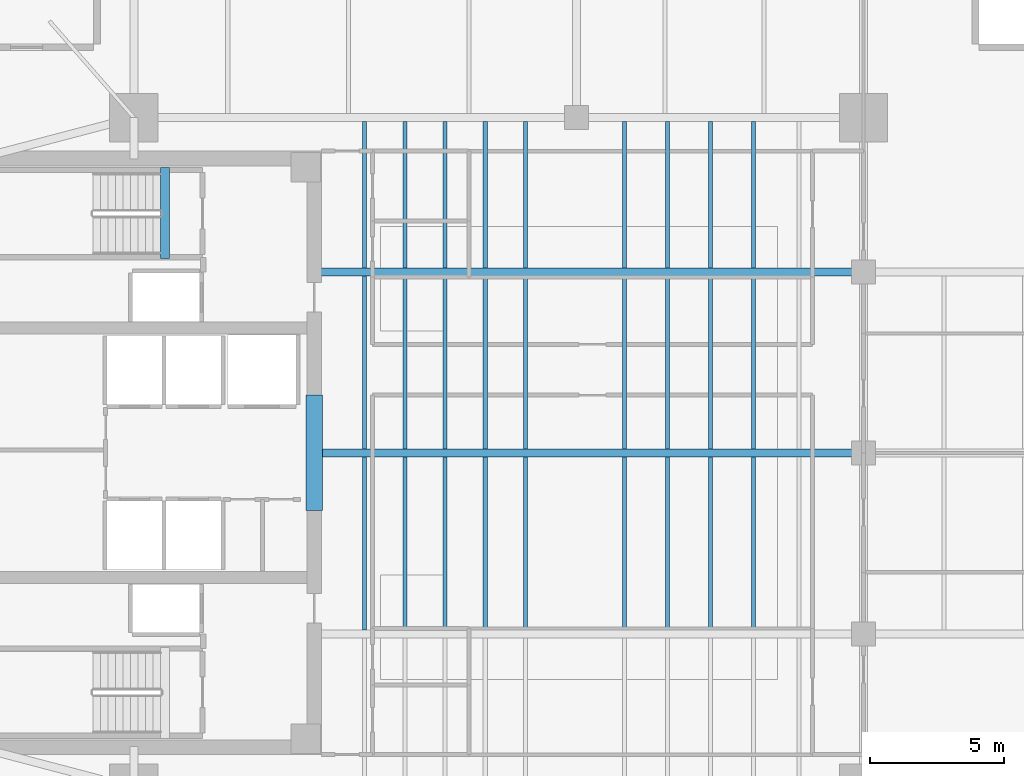
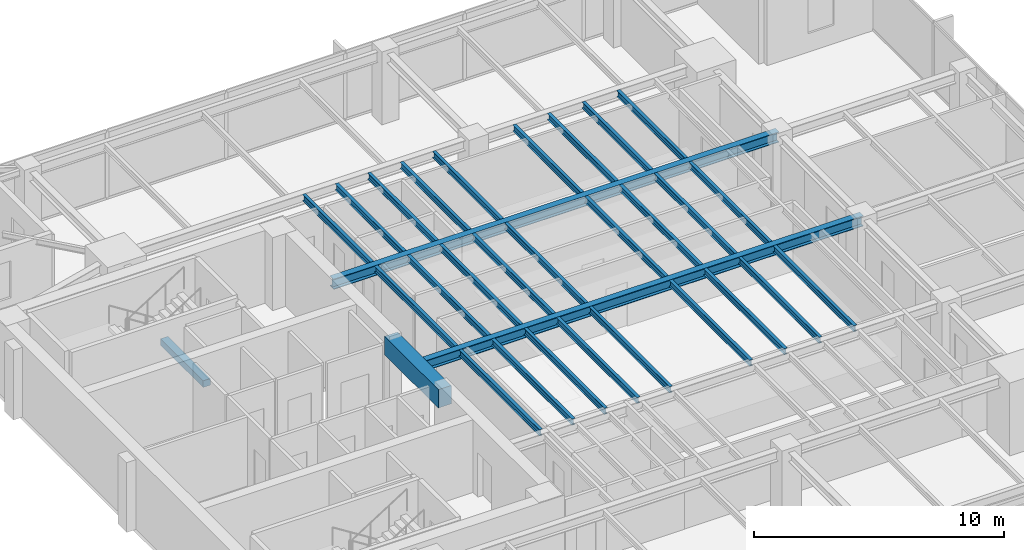
# One storey, part 3 of 14: 31 beams.
"""IFC4 building model written with IfcOpenShell, lengths in metres."""

from ifc_helpers import new_model, si_unit, direction, frame, origin, origin_2d, place, context, subcontext, project, spatial, rectangle, i_section, extrude, material, material_profile, profile_set, type_object, element, save


model = new_model("IFC4")

# Units and contexts
model_context = context("Model", 3, precision=1e-05, world=origin(), true_north=direction((0.0, 1.0)))
body_context = subcontext(model_context, "Body", "Model", "MODEL_VIEW")
ifc_project = project(units=[si_unit("LENGTHUNIT", "METRE"), si_unit("AREAUNIT", "SQUARE_METRE"), si_unit("VOLUMEUNIT", "CUBIC_METRE"), si_unit("PLANEANGLEUNIT", "RADIAN"), si_unit("MASSUNIT", "GRAM", prefix="KILO")], contexts=[model_context])

# Site, building, storey
site_placement = place(None, origin())
site = spatial("IfcSite", under=ifc_project, at=site_placement, CompositionType="ELEMENT")
building_placement = place(site_placement, origin())
building = spatial("IfcBuilding", under=site, at=building_placement, Name="Kinhvarn Gate Tower", CompositionType="ELEMENT")
storey_placement = place(building_placement, frame((0.0, 0.0, 205.800048828125)))
storey = spatial("IfcBuildingStorey", under=building, at=storey_placement, Name="L54", CompositionType="ELEMENT", Elevation=205.800048828125)

# Beams
ifc_material_1 = material(Name="Concrete C60/75", Category="concrete")
ifc_material_profile_1 = material_profile(ifc_material_1, rectangle(XDim=0.60009765625, YDim=0.89990234375, at=origin_2d()), Name="RC 600x900")
ifc_profile_set_1 = profile_set([ifc_material_profile_1], Name="Concrete C60/75")
beam_type_1 = type_object("IfcBeamType", Name="BM-CB-900", PredefinedType="LINTEL", material=ifc_profile_set_1)
beam_1_placement = place(storey_placement, frame((17.72509765625, 23.10009765625, 2.919921875), z_axis=(0.0, 1.0, 0.0), x_axis=(-1.0, 0.0, 0.0)))
element("IfcBeam", 1, at=beam_1_placement, inside=storey, type_object=beam_type_1, Name="Core East Portal Coupling Beam L54", PredefinedType="LINTEL", context=body_context, shape_type="SweptSolid", body=[
    extrude(rectangle(XDim=0.60009765625, YDim=0.89990234375, at=origin_2d()), origin(), (0.0, 0.0, 1.0), 4.2998046875),
])
ifc_material_2 = material(Name="Concrete C50/60", Category="concrete")
ifc_material_profile_2 = material_profile(ifc_material_2, rectangle(XDim=0.340087890625, YDim=0.320068359375, at=origin_2d()), Name="RC 340x320")
ifc_profile_set_2 = profile_set([ifc_material_profile_2], Name="Concrete C50/60")
beam_type_2 = type_object("IfcBeamType", Name="BM-LND-500", PredefinedType="BEAM", material=ifc_profile_set_2)
beam_2_placement = place(storey_placement, frame((12.1650390625, 32.5, -0.16015625), z_axis=(0.0, 1.0, 0.0), x_axis=(-1.0, 0.0, 0.0)))
element("IfcBeam", 2, at=beam_2_placement, inside=storey, type_object=beam_type_2, Name="Stair ST2 Landing Nosing Beam (L54)", PredefinedType="BEAM", context=body_context, shape_type="SweptSolid", body=[
    extrude(rectangle(XDim=0.340087890625, YDim=0.320068359375, at=origin_2d()), origin(), (0.0, 0.0, 1.0), 3.39990234375),
])
ifc_material_3 = material(Name="Steel S355", Category="steel")
ifc_material_profile_3 = material_profile(ifc_material_3, i_section(OverallWidth=0.300048828125, OverallDepth=0.5, WebThickness=0.014404296875, FlangeThickness=0.028076171875, at=origin_2d()), Name="HEB 500")
ifc_profile_set_3 = profile_set([ifc_material_profile_3], Name="Steel S355")
beam_type_3 = type_object("IfcBeamType", Name="STL-HEB500", PredefinedType="BEAM", material=ifc_profile_set_3)
beam_3_placement = place(storey_placement, frame((18.02490234375, 25.25, 3.119873046875), z_axis=(1.0, 0.0, 0.0), x_axis=(0.0, 1.0, 0.0)))
element("IfcBeam", 3, at=beam_3_placement, inside=storey, type_object=beam_type_3, Name="Floor Beam PG-14 (L54 EW1-Y25)", PredefinedType="BEAM", context=body_context, shape_type="SweptSolid", body=[
    extrude(i_section(OverallWidth=0.300048828125, OverallDepth=0.5, WebThickness=0.014404296875, FlangeThickness=0.028076171875, at=origin_2d()), origin(), (0.0, 0.0, 1.0), 20.175048828125),
])
beam_4_placement = place(storey_placement, frame((17.64990234375, 32.0, 3.119873046875), z_axis=(1.0, 0.0, 0.0), x_axis=(0.0, 1.0, 0.0)))
element("IfcBeam", 4, at=beam_4_placement, inside=storey, type_object=beam_type_3, Name="Floor Beam PG-14 (L54 EW1-Y32)", PredefinedType="BEAM", context=body_context, shape_type="SweptSolid", body=[
    extrude(i_section(OverallWidth=0.300048828125, OverallDepth=0.5, WebThickness=0.014404296875, FlangeThickness=0.028076171875, at=origin_2d()), origin(), (0.0, 0.0, 1.0), 20.550048828125),
])
ifc_material_profile_4 = material_profile(ifc_material_3, i_section(OverallWidth=0.14990234375, OverallDepth=0.300048828125, WebThickness=0.007080078125, FlangeThickness=0.0107421875, at=origin_2d()), Name="IPE 300")
ifc_profile_set_4 = profile_set([ifc_material_profile_4], Name="Steel S355")
beam_type_4 = type_object("IfcBeamType", Name="STL-IPE300", PredefinedType="JOIST", material=ifc_profile_set_4)
for number, where, z_axis, x_axis, name in (
    (5, (19.60009765625, 18.64990234375, 3.219970703125), (0.0, 1.0, 0.0), (-1.0, 0.0, 0.0), "Floor Joist SB-02 (L54 JC-X196-1)"),
    (6, (19.60009765625, 25.39990234375, 3.219970703125), (0.0, 1.0, 0.0), (-1.0, 0.0, 0.0), "Floor Joist SB-02 (L54 JC-X196-2)"),
):
    element("IfcBeam", number, at=place(storey_placement, frame(where, z_axis=z_axis, x_axis=x_axis)), inside=storey, type_object=beam_type_4, Name=name, PredefinedType="JOIST", context=body_context, shape_type="SweptSolid", body=[
        extrude(i_section(OverallWidth=0.14990234375, OverallDepth=0.300048828125, WebThickness=0.007080078125, FlangeThickness=0.0107421875, at=origin_2d()), origin(), (0.0, 0.0, 1.0), 6.4501953125),
    ])
beam_5_placement = place(storey_placement, frame((19.60009765625, 32.14990234375, 3.219970703125), z_axis=(0.0, 1.0, 0.0), x_axis=(-1.0, 0.0, 0.0)))
element("IfcBeam", 7, at=beam_5_placement, inside=storey, type_object=beam_type_4, Name="Floor Joist SB-02 (L54 JC-X196-3)", PredefinedType="JOIST", context=body_context, shape_type="SweptSolid", body=[
    extrude(i_section(OverallWidth=0.14990234375, OverallDepth=0.300048828125, WebThickness=0.007080078125, FlangeThickness=0.0107421875, at=origin_2d()), origin(), (0.0, 0.0, 1.0), 5.4501953125),
])
for number, where, z_axis, x_axis, name in (
    (8, (21.10009765625, 18.64990234375, 3.219970703125), (0.0, 1.0, 0.0), (-1.0, 0.0, 0.0), "Floor Joist SB-02 (L54 JC-X211-1)"),
    (9, (21.10009765625, 25.39990234375, 3.219970703125), (0.0, 1.0, 0.0), (-1.0, 0.0, 0.0), "Floor Joist SB-02 (L54 JC-X211-2)"),
):
    element("IfcBeam", number, at=place(storey_placement, frame(where, z_axis=z_axis, x_axis=x_axis)), inside=storey, type_object=beam_type_4, Name=name, PredefinedType="JOIST", context=body_context, shape_type="SweptSolid", body=[
        extrude(i_section(OverallWidth=0.14990234375, OverallDepth=0.300048828125, WebThickness=0.007080078125, FlangeThickness=0.0107421875, at=origin_2d()), origin(), (0.0, 0.0, 1.0), 6.4501953125),
    ])
beam_6_placement = place(storey_placement, frame((21.10009765625, 32.14990234375, 3.219970703125), z_axis=(0.0, 1.0, 0.0), x_axis=(-1.0, 0.0, 0.0)))
element("IfcBeam", 10, at=beam_6_placement, inside=storey, type_object=beam_type_4, Name="Floor Joist SB-02 (L54 JC-X211-3)", PredefinedType="JOIST", context=body_context, shape_type="SweptSolid", body=[
    extrude(i_section(OverallWidth=0.14990234375, OverallDepth=0.300048828125, WebThickness=0.007080078125, FlangeThickness=0.0107421875, at=origin_2d()), origin(), (0.0, 0.0, 1.0), 5.4501953125),
])
for number, where, z_axis, x_axis, name in (
    (11, (22.60009765625, 18.64990234375, 3.219970703125), (0.0, 1.0, 0.0), (-1.0, 0.0, 0.0), "Floor Joist SB-02 (L54 JC-X226-1)"),
    (12, (22.60009765625, 25.39990234375, 3.219970703125), (0.0, 1.0, 0.0), (-1.0, 0.0, 0.0), "Floor Joist SB-02 (L54 JC-X226-2)"),
):
    element("IfcBeam", number, at=place(storey_placement, frame(where, z_axis=z_axis, x_axis=x_axis)), inside=storey, type_object=beam_type_4, Name=name, PredefinedType="JOIST", context=body_context, shape_type="SweptSolid", body=[
        extrude(i_section(OverallWidth=0.14990234375, OverallDepth=0.300048828125, WebThickness=0.007080078125, FlangeThickness=0.0107421875, at=origin_2d()), origin(), (0.0, 0.0, 1.0), 6.4501953125),
    ])
beam_7_placement = place(storey_placement, frame((22.60009765625, 32.14990234375, 3.219970703125), z_axis=(0.0, 1.0, 0.0), x_axis=(-1.0, 0.0, 0.0)))
element("IfcBeam", 13, at=beam_7_placement, inside=storey, type_object=beam_type_4, Name="Floor Joist SB-02 (L54 JC-X226-3)", PredefinedType="JOIST", context=body_context, shape_type="SweptSolid", body=[
    extrude(i_section(OverallWidth=0.14990234375, OverallDepth=0.300048828125, WebThickness=0.007080078125, FlangeThickness=0.0107421875, at=origin_2d()), origin(), (0.0, 0.0, 1.0), 5.4501953125),
])
for number, where, z_axis, x_axis, name in (
    (14, (24.10009765625, 18.64990234375, 3.219970703125), (0.0, 1.0, 0.0), (-1.0, 0.0, 0.0), "Floor Joist SB-02 (L54 JC-X241-1)"),
    (15, (24.10009765625, 25.39990234375, 3.219970703125), (0.0, 1.0, 0.0), (-1.0, 0.0, 0.0), "Floor Joist SB-02 (L54 JC-X241-2)"),
):
    element("IfcBeam", number, at=place(storey_placement, frame(where, z_axis=z_axis, x_axis=x_axis)), inside=storey, type_object=beam_type_4, Name=name, PredefinedType="JOIST", context=body_context, shape_type="SweptSolid", body=[
        extrude(i_section(OverallWidth=0.14990234375, OverallDepth=0.300048828125, WebThickness=0.007080078125, FlangeThickness=0.0107421875, at=origin_2d()), origin(), (0.0, 0.0, 1.0), 6.4501953125),
    ])
beam_8_placement = place(storey_placement, frame((24.10009765625, 32.14990234375, 3.219970703125), z_axis=(0.0, 1.0, 0.0), x_axis=(-1.0, 0.0, 0.0)))
element("IfcBeam", 16, at=beam_8_placement, inside=storey, type_object=beam_type_4, Name="Floor Joist SB-02 (L54 JC-X241-3)", PredefinedType="JOIST", context=body_context, shape_type="SweptSolid", body=[
    extrude(i_section(OverallWidth=0.14990234375, OverallDepth=0.300048828125, WebThickness=0.007080078125, FlangeThickness=0.0107421875, at=origin_2d()), origin(), (0.0, 0.0, 1.0), 5.4501953125),
])
for number, where, z_axis, x_axis, name in (
    (17, (25.60009765625, 18.64990234375, 3.219970703125), (0.0, 1.0, 0.0), (-1.0, 0.0, 0.0), "Floor Joist SB-02 (L54 JC-X256-1)"),
    (18, (25.60009765625, 25.39990234375, 3.219970703125), (0.0, 1.0, 0.0), (-1.0, 0.0, 0.0), "Floor Joist SB-02 (L54 JC-X256-2)"),
):
    element("IfcBeam", number, at=place(storey_placement, frame(where, z_axis=z_axis, x_axis=x_axis)), inside=storey, type_object=beam_type_4, Name=name, PredefinedType="JOIST", context=body_context, shape_type="SweptSolid", body=[
        extrude(i_section(OverallWidth=0.14990234375, OverallDepth=0.300048828125, WebThickness=0.007080078125, FlangeThickness=0.0107421875, at=origin_2d()), origin(), (0.0, 0.0, 1.0), 6.4501953125),
    ])
beam_9_placement = place(storey_placement, frame((25.60009765625, 32.14990234375, 3.219970703125), z_axis=(0.0, 1.0, 0.0), x_axis=(-1.0, 0.0, 0.0)))
element("IfcBeam", 19, at=beam_9_placement, inside=storey, type_object=beam_type_4, Name="Floor Joist SB-02 (L54 JC-X256-3)", PredefinedType="JOIST", context=body_context, shape_type="SweptSolid", body=[
    extrude(i_section(OverallWidth=0.14990234375, OverallDepth=0.300048828125, WebThickness=0.007080078125, FlangeThickness=0.0107421875, at=origin_2d()), origin(), (0.0, 0.0, 1.0), 5.4501953125),
])
for number, where, z_axis, x_axis, name in (
    (20, (29.300048828125, 18.64990234375, 3.219970703125), (0.0, 1.0, 0.0), (-1.0, 0.0, 0.0), "Floor Joist SB-02 (L54 JC-X293-1)"),
    (21, (29.300048828125, 25.39990234375, 3.219970703125), (0.0, 1.0, 0.0), (-1.0, 0.0, 0.0), "Floor Joist SB-02 (L54 JC-X293-2)"),
):
    element("IfcBeam", number, at=place(storey_placement, frame(where, z_axis=z_axis, x_axis=x_axis)), inside=storey, type_object=beam_type_4, Name=name, PredefinedType="JOIST", context=body_context, shape_type="SweptSolid", body=[
        extrude(i_section(OverallWidth=0.14990234375, OverallDepth=0.300048828125, WebThickness=0.007080078125, FlangeThickness=0.0107421875, at=origin_2d()), origin(), (0.0, 0.0, 1.0), 6.4501953125),
    ])
beam_10_placement = place(storey_placement, frame((29.300048828125, 32.14990234375, 3.219970703125), z_axis=(0.0, 1.0, 0.0), x_axis=(-1.0, 0.0, 0.0)))
element("IfcBeam", 22, at=beam_10_placement, inside=storey, type_object=beam_type_4, Name="Floor Joist SB-02 (L54 JC-X293-3)", PredefinedType="JOIST", context=body_context, shape_type="SweptSolid", body=[
    extrude(i_section(OverallWidth=0.14990234375, OverallDepth=0.300048828125, WebThickness=0.007080078125, FlangeThickness=0.0107421875, at=origin_2d()), origin(), (0.0, 0.0, 1.0), 5.4501953125),
])
for number, where, z_axis, x_axis, name in (
    (23, (30.89990234375, 18.64990234375, 3.219970703125), (0.0, 1.0, 0.0), (-1.0, 0.0, 0.0), "Floor Joist SB-02 (L54 JC-X309-1)"),
    (24, (30.89990234375, 25.39990234375, 3.219970703125), (0.0, 1.0, 0.0), (-1.0, 0.0, 0.0), "Floor Joist SB-02 (L54 JC-X309-2)"),
):
    element("IfcBeam", number, at=place(storey_placement, frame(where, z_axis=z_axis, x_axis=x_axis)), inside=storey, type_object=beam_type_4, Name=name, PredefinedType="JOIST", context=body_context, shape_type="SweptSolid", body=[
        extrude(i_section(OverallWidth=0.14990234375, OverallDepth=0.300048828125, WebThickness=0.007080078125, FlangeThickness=0.0107421875, at=origin_2d()), origin(), (0.0, 0.0, 1.0), 6.4501953125),
    ])
beam_11_placement = place(storey_placement, frame((30.89990234375, 32.14990234375, 3.219970703125), z_axis=(0.0, 1.0, 0.0), x_axis=(-1.0, 0.0, 0.0)))
element("IfcBeam", 25, at=beam_11_placement, inside=storey, type_object=beam_type_4, Name="Floor Joist SB-02 (L54 JC-X309-3)", PredefinedType="JOIST", context=body_context, shape_type="SweptSolid", body=[
    extrude(i_section(OverallWidth=0.14990234375, OverallDepth=0.300048828125, WebThickness=0.007080078125, FlangeThickness=0.0107421875, at=origin_2d()), origin(), (0.0, 0.0, 1.0), 5.4501953125),
])
for number, where, z_axis, x_axis, name in (
    (26, (32.5, 18.64990234375, 3.219970703125), (0.0, 1.0, 0.0), (-1.0, 0.0, 0.0), "Floor Joist SB-02 (L54 JC-X325-1)"),
    (27, (32.5, 25.39990234375, 3.219970703125), (0.0, 1.0, 0.0), (-1.0, 0.0, 0.0), "Floor Joist SB-02 (L54 JC-X325-2)"),
):
    element("IfcBeam", number, at=place(storey_placement, frame(where, z_axis=z_axis, x_axis=x_axis)), inside=storey, type_object=beam_type_4, Name=name, PredefinedType="JOIST", context=body_context, shape_type="SweptSolid", body=[
        extrude(i_section(OverallWidth=0.14990234375, OverallDepth=0.300048828125, WebThickness=0.007080078125, FlangeThickness=0.0107421875, at=origin_2d()), origin(), (0.0, 0.0, 1.0), 6.4501953125),
    ])
beam_12_placement = place(storey_placement, frame((32.5, 32.14990234375, 3.219970703125), z_axis=(0.0, 1.0, 0.0), x_axis=(-1.0, 0.0, 0.0)))
element("IfcBeam", 28, at=beam_12_placement, inside=storey, type_object=beam_type_4, Name="Floor Joist SB-02 (L54 JC-X325-3)", PredefinedType="JOIST", context=body_context, shape_type="SweptSolid", body=[
    extrude(i_section(OverallWidth=0.14990234375, OverallDepth=0.300048828125, WebThickness=0.007080078125, FlangeThickness=0.0107421875, at=origin_2d()), origin(), (0.0, 0.0, 1.0), 5.4501953125),
])
for number, where, z_axis, x_axis, name in (
    (29, (34.10009765625, 18.64990234375, 3.219970703125), (0.0, 1.0, 0.0), (-1.0, 0.0, 0.0), "Floor Joist SB-02 (L54 JC-X341-1)"),
    (30, (34.10009765625, 25.39990234375, 3.219970703125), (0.0, 1.0, 0.0), (-1.0, 0.0, 0.0), "Floor Joist SB-02 (L54 JC-X341-2)"),
):
    element("IfcBeam", number, at=place(storey_placement, frame(where, z_axis=z_axis, x_axis=x_axis)), inside=storey, type_object=beam_type_4, Name=name, PredefinedType="JOIST", context=body_context, shape_type="SweptSolid", body=[
        extrude(i_section(OverallWidth=0.14990234375, OverallDepth=0.300048828125, WebThickness=0.007080078125, FlangeThickness=0.0107421875, at=origin_2d()), origin(), (0.0, 0.0, 1.0), 6.4501953125),
    ])
beam_13_placement = place(storey_placement, frame((34.10009765625, 32.14990234375, 3.219970703125), z_axis=(0.0, 1.0, 0.0), x_axis=(-1.0, 0.0, 0.0)))
element("IfcBeam", 31, at=beam_13_placement, inside=storey, type_object=beam_type_4, Name="Floor Joist SB-02 (L54 JC-X341-3)", PredefinedType="JOIST", context=body_context, shape_type="SweptSolid", body=[
    extrude(i_section(OverallWidth=0.14990234375, OverallDepth=0.300048828125, WebThickness=0.007080078125, FlangeThickness=0.0107421875, at=origin_2d()), origin(), (0.0, 0.0, 1.0), 5.4501953125),
])

save(model, "model.ifc")
